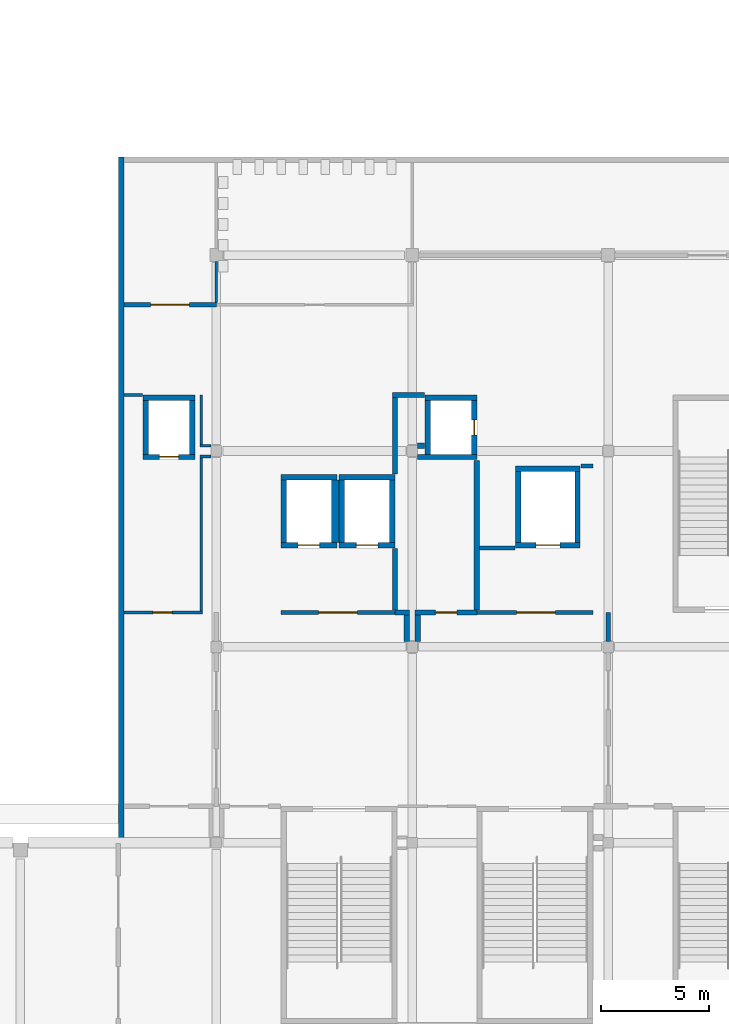
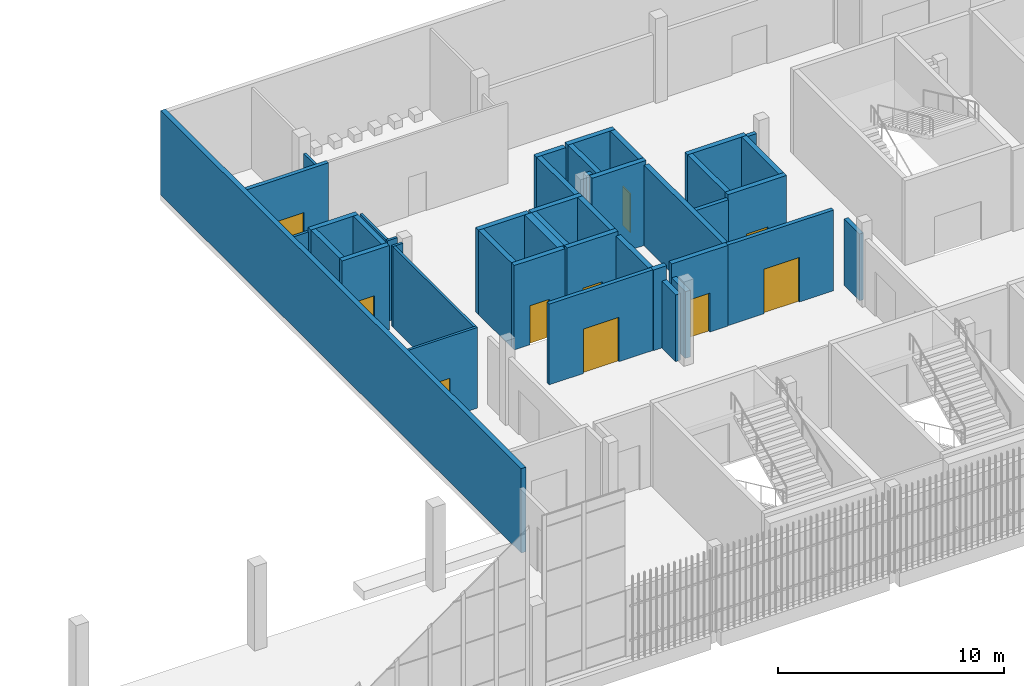
# One storey, part 45 of 91: 43 walls, 10 doors, 10 openings.
"""IFC4 building model written with IfcOpenShell, lengths in metres."""

from ifc_helpers import new_model, si_unit, direction, frame, frame_2d, origin, place, context, subcontext, project, spatial, rectangle, extrude, material, layer, layer_set, type_object, element, fill, save


model = new_model("IFC4")

# Units and contexts
model_context = context("Model", 3, precision=1e-05, world=origin(), true_north=direction((0.0, 1.0)))
body_context = subcontext(model_context, "Body", "Model", "MODEL_VIEW")
ifc_project = project(units=[si_unit("LENGTHUNIT", "METRE"), si_unit("AREAUNIT", "SQUARE_METRE"), si_unit("VOLUMEUNIT", "CUBIC_METRE"), si_unit("PLANEANGLEUNIT", "RADIAN"), si_unit("MASSUNIT", "GRAM", prefix="KILO")], contexts=[model_context])

# Site, building, storey
site_placement = place(None, origin())
site = spatial("IfcSite", under=ifc_project, at=site_placement, CompositionType="ELEMENT")
building_placement = place(site_placement, origin())
building = spatial("IfcBuilding", under=site, at=building_placement, Name="Shirokan Park Arena", CompositionType="ELEMENT")
storey_placement = place(building_placement, frame((0.0, 0.0, 24.570068359375)))
storey = spatial("IfcBuildingStorey", under=building, at=storey_placement, Name="L05", CompositionType="ELEMENT", Elevation=24.570068359375)

# Walls
ifc_material_1 = material(Name="Plaster")
ifc_layer_1 = layer(ifc_material_1, 0.014892578125, Name="Plaster")
ifc_material_2 = material(Name="Concrete blockwork", Category="masonry")
ifc_layer_2 = layer(ifc_material_2, 0.219970703125, Name="Concrete blockwork 220")
ifc_layer_3 = layer(ifc_material_1, 0.014892578125, Name="Plaster")
ifc_layer_set_1 = layer_set([ifc_layer_1, ifc_layer_2, ifc_layer_3], Name="Plaster + Concrete blockwork 220")
wall_type_1 = type_object("IfcWallType", Name="Compartment wall 250", PredefinedType="SOLIDWALL", material=ifc_layer_set_1)
wall_1_placement = place(storey_placement, frame((117.375, 29.89990234375, 0.0), z_axis=(0.0, 0.0, 1.0), x_axis=(1.0, 0.0, 0.0)))
element("IfcWall", 1, at=wall_1_placement, inside=storey, type_object=wall_type_1, Name="Compartment wall 250 L05", PredefinedType="SOLIDWALL", context=body_context, shape_type="SweptSolid", body=[
    extrude(rectangle(XDim=1.4951171875, YDim=0.25, at=frame_2d((0.74755859375, 0.0))), origin(), (0.0, 0.0, 1.0), 4.349853515625),
])
wall_2_placement = place(storey_placement, frame((117.5, 19.800048828125, 0.0), z_axis=(0.0, 0.0, 1.0), x_axis=(1.0, 0.0, 0.0)))
element("IfcWall", 2, at=wall_2_placement, inside=storey, type_object=wall_type_1, Name="Compartment wall 250 L05", PredefinedType="SOLIDWALL", context=body_context, shape_type="SweptSolid", body=[
    extrude(rectangle(XDim=0.675048828125, YDim=0.25, at=frame_2d((0.33740234375, 0.0))), origin(), (0.0, 0.0, 1.0), 4.349853515625),
])
wall_3_placement = place(storey_placement, frame((117.5, 19.925048828125, 0.0), z_axis=(0.0, 0.0, 1.0), x_axis=(0.0, 1.0, 0.0)))
element("IfcWall", 3, at=wall_3_placement, inside=storey, type_object=wall_type_1, Name="Compartment wall 250 L05", PredefinedType="SOLIDWALL", context=body_context, shape_type="SweptSolid", body=[
    extrude(rectangle(XDim=2.844970703125, YDim=0.25, at=frame_2d((1.42236328125, 0.0))), origin(), (0.0, 0.0, 1.0), 4.349853515625),
])
wall_4_placement = place(storey_placement, frame((117.5, 26.22998046875, 0.0), z_axis=(0.0, 0.0, 1.0), x_axis=(0.0, 1.0, 0.0)))
element("IfcWall", 4, at=wall_4_placement, inside=storey, type_object=wall_type_1, Name="Compartment wall 250 L05", PredefinedType="SOLIDWALL", context=body_context, shape_type="SweptSolid", body=[
    extrude(rectangle(XDim=3.544921875, YDim=0.25, at=frame_2d((1.7724609375, 0.0))), origin(), (0.0, 0.0, 1.0), 4.349853515625),
])
wall_5_placement = place(storey_placement, frame((118.050048828125, 19.675048828125, 0.0), z_axis=(0.0, 0.0, 1.0), x_axis=(0.0, -1.0, 0.0)))
element("IfcWall", 5, at=wall_5_placement, inside=storey, type_object=wall_type_1, Name="Compartment wall 250 L05", PredefinedType="SOLIDWALL", context=body_context, shape_type="SweptSolid", body=[
    extrude(rectangle(XDim=1.22509765625, YDim=0.25, at=frame_2d((0.612548828125, 0.0))), origin(), (0.0, 0.0, 1.0), 3.599853515625),
])

# Wall, opening, door
wall_6_placement = place(storey_placement, frame((118.425048828125, 19.800048828125, 0.0), z_axis=(0.0, 0.0, 1.0), x_axis=(1.0, 0.0, 0.0)))
wall_6 = element("IfcWall", 6, at=wall_6_placement, inside=storey, type_object=wall_type_1, Name="Compartment wall 250 L05", PredefinedType="SOLIDWALL", context=body_context, shape_type="SweptSolid", body=[
    extrude(rectangle(XDim=2.875, YDim=0.25, at=frame_2d((1.4375, 0.0))), origin(), (0.0, 0.0, 1.0), 4.349853515625),
])
opening_1_placement = place(wall_6_placement, frame((0.949951171875, 0.0, 0.0)))
opening_1 = element("IfcOpeningElement", 7, at=opening_1_placement, cuts=wall_6, Name="Opening D-5015", PredefinedType="OPENING", context=body_context, shape_type="SweptSolid", body=[
    extrude(rectangle(XDim=1.0, YDim=2.10009765625, at=frame_2d((0.5, 1.050048828125))), frame((0.0, 0.135009765625, 0.0), z_axis=(0.0, -1.0, 0.0), x_axis=(1.0, 0.0, 0.0)), (0.0, 0.0, 1.0), 0.27001953125),
])
ifc_material_3 = material(Name="Timber door set, fire resisting", Category="wood")
door_type_1 = type_object("IfcDoorType", Name="Door 1000 x 2100", OperationType="SINGLE_SWING_LEFT", PredefinedType="DOOR", material=ifc_material_3)
door_1_placement = place(opening_1_placement, origin())
door_1 = element("IfcDoor", 8, at=door_1_placement, inside=storey, type_object=door_type_1, Name="Door to Kiosk Store 5.28 D-5015", OperationType="SINGLE_SWING_LEFT", OverallHeight=2.10009765625, OverallWidth=1.0, PredefinedType="DOOR", context=body_context, shape_type="SweptSolid", body=[
    extrude(rectangle(XDim=1.0, YDim=2.10009765625, at=frame_2d((0.5, 1.050048828125))), frame((0.0, 0.02490234375, 0.0), z_axis=(0.0, -1.0, 0.0), x_axis=(1.0, 0.0, 0.0)), (0.0, 0.0, 1.0), 0.050048828125),
])
fill(opening_1, door_1)

# Walls
wall_7_placement = place(storey_placement, frame((118.550048828125, 18.449951171875, 0.0), z_axis=(0.0, 0.0, 1.0), x_axis=(0.0, 1.0, 0.0)))
element("IfcWall", 9, at=wall_7_placement, inside=storey, type_object=wall_type_1, Name="Compartment wall 250 L05", PredefinedType="SOLIDWALL", context=body_context, shape_type="SweptSolid", body=[
    extrude(rectangle(XDim=1.22509765625, YDim=0.25, at=frame_2d((0.612548828125, 0.0))), origin(), (0.0, 0.0, 1.0), 3.599853515625),
])
wall_8_placement = place(storey_placement, frame((118.8701171875, 27.550048828125, 0.0), z_axis=(0.0, 0.0, 1.0), x_axis=(-1.0, 0.0, 0.0)))
element("IfcWall", 10, at=wall_8_placement, inside=storey, type_object=wall_type_1, Name="Compartment wall 250 L05", PredefinedType="SOLIDWALL", context=body_context, shape_type="SweptSolid", body=[
    extrude(rectangle(XDim=0.320068359375, YDim=0.25, at=frame_2d((0.16015625, 0.0))), origin(), (0.0, 0.0, 1.0), 4.349853515625),
])
wall_9_placement = place(storey_placement, frame((121.300048828125, 19.925048828125, 0.0), z_axis=(0.0, 0.0, 1.0), x_axis=(0.0, 1.0, 0.0)))
element("IfcWall", 11, at=wall_9_placement, inside=storey, type_object=wall_type_1, Name="Compartment wall 250 L05", PredefinedType="SOLIDWALL", context=body_context, shape_type="SweptSolid", body=[
    extrude(rectangle(XDim=6.945068359375, YDim=0.25, at=frame_2d((3.47265625, 0.0))), origin(), (0.0, 0.0, 1.0), 4.349853515625),
])

# Wall, opening, door
ifc_material_4 = material(Name="Gypsum board")
ifc_layer_4 = layer(ifc_material_4, 0.02490234375, Name="Gypsum board, two layers")
ifc_material_5 = material(Name="Mineral wool insulation")
ifc_layer_5 = layer(ifc_material_5, 0.14990234375, Name="Mineral wool insulation")
ifc_layer_6 = layer(ifc_material_4, 0.02490234375, Name="Gypsum board, two layers")
ifc_layer_set_2 = layer_set([ifc_layer_4, ifc_layer_5, ifc_layer_6], Name="Gypsum board, two layers + Mineral wool insulation")
wall_type_2 = type_object("IfcWallType", Name="Corridor wall 200", PredefinedType="PARTITIONING", material=ifc_layer_set_2)
wall_10_placement = place(storey_placement, frame((109.199951171875, 34.10009765625, 0.0), z_axis=(0.0, 0.0, 1.0), x_axis=(-1.0, 0.0, 0.0)))
wall_10 = element("IfcWall", 12, at=wall_10_placement, inside=storey, type_object=wall_type_2, Name="Corridor wall 200 L05", PredefinedType="PARTITIONING", context=body_context, shape_type="SweptSolid", body=[
    extrude(rectangle(XDim=4.300048828125, YDim=0.199951171875, at=frame_2d((2.14990234375, 0.0))), origin(), (0.0, 0.0, 1.0), 4.349853515625),
])
opening_2_placement = place(wall_10_placement, frame((1.25, 0.0, 0.0)))
opening_2 = element("IfcOpeningElement", 13, at=opening_2_placement, cuts=wall_10, Name="Opening D-5022", PredefinedType="OPENING", context=body_context, shape_type="SweptSolid", body=[
    extrude(rectangle(XDim=1.800048828125, YDim=2.10009765625, at=frame_2d((0.89990234375, 1.050048828125))), frame((0.0, 0.10986328125, 0.0), z_axis=(0.0, -1.0, 0.0), x_axis=(1.0, 0.0, 0.0)), (0.0, 0.0, 1.0), 0.219970703125),
])
door_type_2 = type_object("IfcDoorType", Name="Double door 1800 x 2100", OperationType="DOUBLE_DOOR_SINGLE_SWING", PredefinedType="DOOR", material=ifc_material_3)
door_2_placement = place(opening_2_placement, origin())
door_2 = element("IfcDoor", 14, at=door_2_placement, inside=storey, type_object=door_type_2, Name="Door to Merchandise Store 5.23 D-5022", OperationType="DOUBLE_DOOR_SINGLE_SWING", OverallHeight=2.10009765625, OverallWidth=1.800048828125, PredefinedType="DOOR", context=body_context, shape_type="SweptSolid", body=[
    extrude(rectangle(XDim=1.800048828125, YDim=2.10009765625, at=frame_2d((0.89990234375, 1.050048828125))), frame((0.0, 0.02490234375, 0.0), z_axis=(0.0, -1.0, 0.0), x_axis=(1.0, 0.0, 0.0)), (0.0, 0.0, 1.0), 0.050048828125),
])
fill(opening_2, door_2)

wall_11_placement = place(storey_placement, frame((112.199951171875, 19.800048828125, 0.0), z_axis=(0.0, 0.0, 1.0), x_axis=(1.0, 0.0, 0.0)))
wall_11 = element("IfcWall", 15, at=wall_11_placement, inside=storey, type_object=wall_type_2, Name="Corridor wall 200 L05", PredefinedType="PARTITIONING", context=body_context, shape_type="SweptSolid", body=[
    extrude(rectangle(XDim=5.300048828125, YDim=0.199951171875, at=frame_2d((2.64990234375, 0.0))), origin(), (0.0, 0.0, 1.0), 4.349853515625),
])
opening_3_placement = place(wall_11_placement, frame((1.75, 0.0, 0.0)))
opening_3 = element("IfcOpeningElement", 16, at=opening_3_placement, cuts=wall_11, Name="Opening D-5085", PredefinedType="OPENING", context=body_context, shape_type="SweptSolid", body=[
    extrude(rectangle(XDim=1.800048828125, YDim=2.39990234375, at=frame_2d((0.89990234375, 1.199951171875))), frame((0.0, 0.10986328125, 0.0), z_axis=(0.0, -1.0, 0.0), x_axis=(1.0, 0.0, 0.0)), (0.0, 0.0, 1.0), 0.219970703125),
])
ifc_material_6 = material(Name="Glazed steel door set, fire resisting", Category="steel")
door_type_3 = type_object("IfcDoorType", Name="Lift lobby door 1800 x 2400", OperationType="DOUBLE_DOOR_SINGLE_SWING", PredefinedType="DOOR", material=ifc_material_6)
door_3_placement = place(opening_3_placement, origin())
door_3 = element("IfcDoor", 17, at=door_3_placement, inside=storey, type_object=door_type_3, Name="Door between Retail Arcade 2.5.3 and Lift Lobby 2.5 D-5085", OperationType="DOUBLE_DOOR_SINGLE_SWING", OverallHeight=2.39990234375, OverallWidth=1.800048828125, PredefinedType="DOOR", context=body_context, shape_type="SweptSolid", body=[
    extrude(rectangle(XDim=1.800048828125, YDim=2.39990234375, at=frame_2d((0.89990234375, 1.199951171875))), frame((0.0, 0.02490234375, 0.0), z_axis=(0.0, -1.0, 0.0), x_axis=(1.0, 0.0, 0.0)), (0.0, 0.0, 1.0), 0.050048828125),
])
fill(opening_3, door_3)

wall_12_placement = place(storey_placement, frame((121.300048828125, 19.800048828125, 0.0), z_axis=(0.0, 0.0, 1.0), x_axis=(1.0, 0.0, 0.0)))
wall_12 = element("IfcWall", 18, at=wall_12_placement, inside=storey, type_object=wall_type_2, Name="Corridor wall 200 L05", PredefinedType="PARTITIONING", context=body_context, shape_type="SweptSolid", body=[
    extrude(rectangle(XDim=5.39990234375, YDim=0.199951171875, at=frame_2d((2.699951171875, 0.0))), origin(), (0.0, 0.0, 1.0), 4.349853515625),
])
opening_4_placement = place(wall_12_placement, frame((1.85009765625, 0.0, 0.0)))
opening_4 = element("IfcOpeningElement", 19, at=opening_4_placement, cuts=wall_12, Name="Opening D-5086", PredefinedType="OPENING", context=body_context, shape_type="SweptSolid", body=[
    extrude(rectangle(XDim=1.800048828125, YDim=2.39990234375, at=frame_2d((0.89990234375, 1.199951171875))), frame((0.0, 0.10986328125, 0.0), z_axis=(0.0, -1.0, 0.0), x_axis=(1.0, 0.0, 0.0)), (0.0, 0.0, 1.0), 0.219970703125),
])
door_4_placement = place(opening_4_placement, origin())
door_4 = element("IfcDoor", 20, at=door_4_placement, inside=storey, type_object=door_type_3, Name="Door between Retail Arcade 2.5.3 and Service Lift Lobby 2.5 D-5086", OperationType="DOUBLE_DOOR_SINGLE_SWING", OverallHeight=2.39990234375, OverallWidth=1.800048828125, PredefinedType="DOOR", context=body_context, shape_type="SweptSolid", body=[
    extrude(rectangle(XDim=1.800048828125, YDim=2.39990234375, at=frame_2d((0.89990234375, 1.199951171875))), frame((0.0, 0.02490234375, 0.0), z_axis=(0.0, -1.0, 0.0), x_axis=(1.0, 0.0, 0.0)), (0.0, 0.0, 1.0), 0.050048828125),
])
fill(opening_4, door_4)

# Walls
wall_13_placement = place(storey_placement, frame((121.425048828125, 22.800048828125, 0.0), z_axis=(0.0, 0.0, 1.0), x_axis=(1.0, 0.0, 0.0)))
element("IfcWall", 21, at=wall_13_placement, inside=storey, type_object=wall_type_2, Name="Corridor wall 200 L05", PredefinedType="PARTITIONING", context=body_context, shape_type="SweptSolid", body=[
    extrude(rectangle(XDim=1.64501953125, YDim=0.199951171875, at=frame_2d((0.822509765625, 0.0))), origin(), (0.0, 0.0, 1.0), 4.349853515625),
])
wall_14_placement = place(storey_placement, frame((126.1298828125, 26.60009765625, 0.0), z_axis=(0.0, 0.0, 1.0), x_axis=(1.0, 0.0, 0.0)))
element("IfcWall", 22, at=wall_14_placement, inside=storey, type_object=wall_type_2, Name="Corridor wall 200 L05", PredefinedType="PARTITIONING", context=body_context, shape_type="SweptSolid", body=[
    extrude(rectangle(XDim=0.570068359375, YDim=0.199951171875, at=frame_2d((0.28515625, 0.0))), origin(), (0.0, 0.0, 1.0), 4.349853515625),
])
wall_15_placement = place(storey_placement, frame((127.39990234375, 18.449951171875, 0.0), z_axis=(0.0, 0.0, 1.0), x_axis=(0.0, 1.0, 0.0)))
element("IfcWall", 23, at=wall_15_placement, inside=storey, type_object=wall_type_2, Name="Corridor wall 200 L05", PredefinedType="PARTITIONING", context=body_context, shape_type="SweptSolid", body=[
    extrude(rectangle(XDim=1.35009765625, YDim=0.199951171875, at=frame_2d((0.675048828125, 0.0))), origin(), (0.0, 0.0, 1.0), 3.599853515625),
])
ifc_material_7 = material(Name="Concrete C35", Category="concrete")
ifc_layer_7 = layer(ifc_material_7, 0.25)
ifc_layer_set_3 = layer_set([ifc_layer_7], Name="Concrete C35 250 mm")
wall_type_3 = type_object("IfcWallType", Name="RC flank wall 250", PredefinedType="SHEAR", material=ifc_layer_set_3)
wall_16_placement = place(storey_placement, frame((104.77490234375, 40.949951171875, 0.0), z_axis=(0.0, 0.0, 1.0), x_axis=(0.0, -1.0, 0.0)))
element("IfcWall", 24, at=wall_16_placement, inside=storey, type_object=wall_type_3, Name="Flank wall S2 L05", PredefinedType="SHEAR", context=body_context, shape_type="SweptSolid", body=[
    extrude(rectangle(XDim=31.849853515625, YDim=0.25, at=frame_2d((15.9248046875, 0.0))), origin(), (0.0, 0.0, 1.0), 4.550048828125),
])

# Wall, opening, door
ifc_material_8 = material(Name="Concrete C40/50", Category="concrete")
ifc_layer_8 = layer(ifc_material_8, 0.25)
ifc_layer_set_4 = layer_set([ifc_layer_8], Name="Concrete C40/50 250 mm")
wall_type_4 = type_object("IfcWallType", Name="RC shear wall 250", PredefinedType="SHEAR", material=ifc_layer_set_4)
wall_17_placement = place(storey_placement, frame((117.5, 22.925048828125, 0.0), z_axis=(0.0, 0.0, 1.0), x_axis=(-1.0, 0.0, 0.0)))
wall_17 = element("IfcWall", 25, at=wall_17_placement, inside=storey, type_object=wall_type_4, Name="Shaft wall Passenger Lift 2.1 S L05", PredefinedType="SHEAR", context=body_context, shape_type="SweptSolid", body=[
    extrude(rectangle(XDim=2.60009765625, YDim=0.25, at=frame_2d((1.300048828125, 0.0))), origin(), (0.0, 0.0, 1.0), 4.550048828125),
])
opening_5_placement = place(wall_17_placement, frame((0.800048828125, 0.0, 0.0)))
opening_5 = element("IfcOpeningElement", 26, at=opening_5_placement, cuts=wall_17, Name="Opening LD18", PredefinedType="OPENING", context=body_context, shape_type="SweptSolid", body=[
    extrude(rectangle(XDim=1.0, YDim=2.10009765625, at=frame_2d((0.5, 1.050048828125))), frame((0.0, 0.135009765625, 0.0), z_axis=(0.0, -1.0, 0.0), x_axis=(1.0, 0.0, 0.0)), (0.0, 0.0, 1.0), 0.27001953125),
])
ifc_material_9 = material(Name="Stainless steel", Category="steel")
door_type_4 = type_object("IfcDoorType", Name="Lift landing door 1000x2100", OperationType="DOUBLE_DOOR_SLIDING", PredefinedType="DOOR", material=ifc_material_9)
door_5_placement = place(opening_5_placement, origin())
door_5 = element("IfcDoor", 27, at=door_5_placement, inside=storey, type_object=door_type_4, Name="Lift landing door Passenger Lift 2.1 L05", OperationType="DOUBLE_DOOR_SLIDING", OverallHeight=2.10009765625, OverallWidth=1.0, PredefinedType="DOOR", context=body_context, shape_type="SweptSolid", body=[
    extrude(rectangle(XDim=1.0, YDim=2.10009765625, at=frame_2d((0.5, 1.050048828125))), frame((0.0, 0.02490234375, 0.0), z_axis=(0.0, -1.0, 0.0), x_axis=(1.0, 0.0, 0.0)), (0.0, 0.0, 1.0), 0.050048828125),
])
fill(opening_5, door_5)

# Walls
wall_18_placement = place(storey_placement, frame((117.5, 26.074951171875, 0.0), z_axis=(0.0, 0.0, 1.0), x_axis=(-1.0, 0.0, 0.0)))
element("IfcWall", 28, at=wall_18_placement, inside=storey, type_object=wall_type_4, Name="Shaft wall Passenger Lift 2.1 N L05", PredefinedType="SHEAR", context=body_context, shape_type="SweptSolid", body=[
    extrude(rectangle(XDim=2.60009765625, YDim=0.25, at=frame_2d((1.300048828125, 0.0))), origin(), (0.0, 0.0, 1.0), 4.550048828125),
])
for number, where, z_axis, x_axis, name in (
    (29, (115.02490234375, 25.949951171875, 0.0), (0.0, 0.0, 1.0), (0.0, -1.0, 0.0), "Shaft wall Passenger Lift 2.1 W L05"),
    (30, (117.375, 25.949951171875, 0.0), (0.0, 0.0, 1.0), (0.0, -1.0, 0.0), "Shaft wall Passenger Lift 2.1 E L05"),
):
    element("IfcWall", number, at=place(storey_placement, frame(where, z_axis=z_axis, x_axis=x_axis)), inside=storey, type_object=wall_type_4, Name=name, PredefinedType="SHEAR", context=body_context, shape_type="SweptSolid", body=[
        extrude(rectangle(XDim=2.89990234375, YDim=0.25, at=frame_2d((1.449951171875, 0.0))), origin(), (0.0, 0.0, 1.0), 4.550048828125),
    ])

# Wall, opening, door
wall_19_placement = place(storey_placement, frame((114.800048828125, 22.925048828125, 0.0), z_axis=(0.0, 0.0, 1.0), x_axis=(-1.0, 0.0, 0.0)))
wall_19 = element("IfcWall", 31, at=wall_19_placement, inside=storey, type_object=wall_type_4, Name="Shaft wall Passenger Lift 2.2 S L05", PredefinedType="SHEAR", context=body_context, shape_type="SweptSolid", body=[
    extrude(rectangle(XDim=2.60009765625, YDim=0.25, at=frame_2d((1.300048828125, 0.0))), origin(), (0.0, 0.0, 1.0), 4.550048828125),
])
opening_6_placement = place(wall_19_placement, frame((0.800048828125, 0.0, 0.0)))
opening_6 = element("IfcOpeningElement", 32, at=opening_6_placement, cuts=wall_19, Name="Opening LD24", PredefinedType="OPENING", context=body_context, shape_type="SweptSolid", body=[
    extrude(rectangle(XDim=1.0, YDim=2.10009765625, at=frame_2d((0.5, 1.050048828125))), frame((0.0, 0.135009765625, 0.0), z_axis=(0.0, -1.0, 0.0), x_axis=(1.0, 0.0, 0.0)), (0.0, 0.0, 1.0), 0.27001953125),
])
door_6_placement = place(opening_6_placement, origin())
door_6 = element("IfcDoor", 33, at=door_6_placement, inside=storey, type_object=door_type_4, Name="Lift landing door Passenger Lift 2.2 L05", OperationType="DOUBLE_DOOR_SLIDING", OverallHeight=2.10009765625, OverallWidth=1.0, PredefinedType="DOOR", context=body_context, shape_type="SweptSolid", body=[
    extrude(rectangle(XDim=1.0, YDim=2.10009765625, at=frame_2d((0.5, 1.050048828125))), frame((0.0, 0.02490234375, 0.0), z_axis=(0.0, -1.0, 0.0), x_axis=(1.0, 0.0, 0.0)), (0.0, 0.0, 1.0), 0.050048828125),
])
fill(opening_6, door_6)

# Walls
wall_20_placement = place(storey_placement, frame((114.800048828125, 26.074951171875, 0.0), z_axis=(0.0, 0.0, 1.0), x_axis=(-1.0, 0.0, 0.0)))
element("IfcWall", 34, at=wall_20_placement, inside=storey, type_object=wall_type_4, Name="Shaft wall Passenger Lift 2.2 N L05", PredefinedType="SHEAR", context=body_context, shape_type="SweptSolid", body=[
    extrude(rectangle(XDim=2.60009765625, YDim=0.25, at=frame_2d((1.300048828125, 0.0))), origin(), (0.0, 0.0, 1.0), 4.550048828125),
])
wall_21_placement = place(storey_placement, frame((112.324951171875, 25.949951171875, 0.0), z_axis=(0.0, 0.0, 1.0), x_axis=(0.0, -1.0, 0.0)))
element("IfcWall", 35, at=wall_21_placement, inside=storey, type_object=wall_type_4, Name="Shaft wall Passenger Lift 2.2 W L05", PredefinedType="SHEAR", context=body_context, shape_type="SweptSolid", body=[
    extrude(rectangle(XDim=2.89990234375, YDim=0.25, at=frame_2d((1.449951171875, 0.0))), origin(), (0.0, 0.0, 1.0), 4.550048828125),
])

# Wall, opening, door
wall_22_placement = place(storey_placement, frame((108.199951171875, 27.02490234375, 0.0), z_axis=(0.0, 0.0, 1.0), x_axis=(-1.0, 0.0, 0.0)))
wall_22 = element("IfcWall", 36, at=wall_22_placement, inside=storey, type_object=wall_type_4, Name="Shaft wall Services Riser 2.1 S L05", PredefinedType="SHEAR", context=body_context, shape_type="SweptSolid", body=[
    extrude(rectangle(XDim=2.39990234375, YDim=0.25, at=frame_2d((1.199951171875, 0.0))), origin(), (0.0, 0.0, 1.0), 4.550048828125),
])
opening_7_placement = place(wall_22_placement, frame((0.75, 0.0, 0.0)))
opening_7 = element("IfcOpeningElement", 37, at=opening_7_placement, cuts=wall_22, Name="Opening D-5126", PredefinedType="OPENING", context=body_context, shape_type="SweptSolid", body=[
    extrude(rectangle(XDim=0.89990234375, YDim=2.10009765625, at=frame_2d((0.449951171875, 1.050048828125))), frame((0.0, 0.135009765625, 0.0), z_axis=(0.0, -1.0, 0.0), x_axis=(1.0, 0.0, 0.0)), (0.0, 0.0, 1.0), 0.27001953125),
])
ifc_material_10 = material(Name="Steel door set, fire resisting", Category="steel")
door_type_5 = type_object("IfcDoorType", Name="Electrical riser door 900 x 2100", OperationType="SINGLE_SWING_LEFT", PredefinedType="DOOR", material=ifc_material_10)
door_7_placement = place(opening_7_placement, origin())
door_7 = element("IfcDoor", 38, at=door_7_placement, inside=storey, type_object=door_type_5, Name="Riser access door Services Riser 2.1 D-5126", OperationType="SINGLE_SWING_LEFT", OverallHeight=2.10009765625, OverallWidth=0.89990234375, PredefinedType="DOOR", context=body_context, shape_type="SweptSolid", body=[
    extrude(rectangle(XDim=0.89990234375, YDim=2.10009765625, at=frame_2d((0.449951171875, 1.050048828125))), frame((0.0, 0.02490234375, 0.0), z_axis=(0.0, -1.0, 0.0), x_axis=(1.0, 0.0, 0.0)), (0.0, 0.0, 1.0), 0.050048828125),
])
fill(opening_7, door_7)

# Walls
wall_23_placement = place(storey_placement, frame((108.199951171875, 29.77490234375, 0.0), z_axis=(0.0, 0.0, 1.0), x_axis=(-1.0, 0.0, 0.0)))
element("IfcWall", 39, at=wall_23_placement, inside=storey, type_object=wall_type_4, Name="Shaft wall Services Riser 2.1 N L05", PredefinedType="SHEAR", context=body_context, shape_type="SweptSolid", body=[
    extrude(rectangle(XDim=2.39990234375, YDim=0.25, at=frame_2d((1.199951171875, 0.0))), origin(), (0.0, 0.0, 1.0), 4.550048828125),
])
for number, where, z_axis, x_axis, name in (
    (40, (105.925048828125, 29.64990234375, 0.0), (0.0, 0.0, 1.0), (0.0, -1.0, 0.0), "Shaft wall Services Riser 2.1 W L05"),
    (41, (108.074951171875, 29.64990234375, 0.0), (0.0, 0.0, 1.0), (0.0, -1.0, 0.0), "Shaft wall Services Riser 2.1 E L05"),
):
    element("IfcWall", number, at=place(storey_placement, frame(where, z_axis=z_axis, x_axis=x_axis)), inside=storey, type_object=wall_type_4, Name=name, PredefinedType="SHEAR", context=body_context, shape_type="SweptSolid", body=[
        extrude(rectangle(XDim=2.5, YDim=0.25, at=frame_2d((1.25, 0.0))), origin(), (0.0, 0.0, 1.0), 4.550048828125),
    ])
wall_24_placement = place(storey_placement, frame((121.300048828125, 27.02490234375, 0.0), z_axis=(0.0, 0.0, 1.0), x_axis=(-1.0, 0.0, 0.0)))
element("IfcWall", 42, at=wall_24_placement, inside=storey, type_object=wall_type_4, Name="Shaft wall Services Riser 2.2 S L05", PredefinedType="SHEAR", context=body_context, shape_type="SweptSolid", body=[
    extrude(rectangle(XDim=2.75, YDim=0.25, at=frame_2d((1.375, 0.0))), origin(), (0.0, 0.0, 1.0), 4.550048828125),
])
wall_25_placement = place(storey_placement, frame((121.300048828125, 29.77490234375, 0.0), z_axis=(0.0, 0.0, 1.0), x_axis=(-1.0, 0.0, 0.0)))
element("IfcWall", 43, at=wall_25_placement, inside=storey, type_object=wall_type_4, Name="Shaft wall Services Riser 2.2 N L05", PredefinedType="SHEAR", context=body_context, shape_type="SweptSolid", body=[
    extrude(rectangle(XDim=2.400146484375, YDim=0.25, at=frame_2d((1.2001953125, 0.0))), origin(), (0.0, 0.0, 1.0), 4.550048828125),
])
wall_26_placement = place(storey_placement, frame((119.02490234375, 29.64990234375, 0.0), z_axis=(0.0, 0.0, 1.0), x_axis=(0.0, -1.0, 0.0)))
element("IfcWall", 44, at=wall_26_placement, inside=storey, type_object=wall_type_4, Name="Shaft wall Services Riser 2.2 W L05", PredefinedType="SHEAR", context=body_context, shape_type="SweptSolid", body=[
    extrude(rectangle(XDim=2.5, YDim=0.25, at=frame_2d((1.25, 0.0))), origin(), (0.0, 0.0, 1.0), 4.550048828125),
])

# Wall, opening, door
wall_27_placement = place(storey_placement, frame((121.175048828125, 29.64990234375, 0.0), z_axis=(0.0, 0.0, 1.0), x_axis=(0.0, -1.0, 0.0)))
wall_27 = element("IfcWall", 45, at=wall_27_placement, inside=storey, type_object=wall_type_4, Name="Shaft wall Services Riser 2.2 E L05", PredefinedType="SHEAR", context=body_context, shape_type="SweptSolid", body=[
    extrude(rectangle(XDim=2.5, YDim=0.25, at=frame_2d((1.25, 0.0))), origin(), (0.0, 0.0, 1.0), 4.550048828125),
])
opening_8_placement = place(wall_27_placement, frame((0.89990234375, 0.0, 0.0)))
opening_8 = element("IfcOpeningElement", 46, at=opening_8_placement, cuts=wall_27, Name="Opening D-5127", PredefinedType="OPENING", context=body_context, shape_type="SweptSolid", body=[
    extrude(rectangle(XDim=0.699951171875, YDim=2.10009765625, at=frame_2d((0.35009765625, 1.050048828125))), frame((0.0, 0.135009765625, 0.0), z_axis=(0.0, -1.0, 0.0), x_axis=(1.0, 0.0, 0.0)), (0.0, 0.0, 1.0), 0.27001953125),
])
door_type_6 = type_object("IfcDoorType", Name="Mechanical riser door 700 x 2100", OperationType="SINGLE_SWING_LEFT", PredefinedType="DOOR", material=ifc_material_10)
door_8_placement = place(opening_8_placement, origin())
door_8 = element("IfcDoor", 47, at=door_8_placement, inside=storey, type_object=door_type_6, Name="Riser access door Services Riser 2.2 D-5127", OperationType="SINGLE_SWING_RIGHT", OverallHeight=2.10009765625, OverallWidth=0.699951171875, PredefinedType="DOOR", context=body_context, shape_type="SweptSolid", body=[
    extrude(rectangle(XDim=0.699951171875, YDim=2.10009765625, at=frame_2d((0.35009765625, 1.050048828125))), frame((0.0, 0.02490234375, 0.0), z_axis=(0.0, -1.0, 0.0), x_axis=(1.0, 0.0, 0.0)), (0.0, 0.0, 1.0), 0.050048828125),
])
fill(opening_8, door_8)

wall_28_placement = place(storey_placement, frame((126.10009765625, 22.925048828125, 0.0), z_axis=(0.0, 0.0, 1.0), x_axis=(-1.0, 0.0, 0.0)))
wall_28 = element("IfcWall", 48, at=wall_28_placement, inside=storey, type_object=wall_type_4, Name="Shaft wall Service Lift 2 S L05", PredefinedType="SHEAR", context=body_context, shape_type="SweptSolid", body=[
    extrude(rectangle(XDim=3.0, YDim=0.25, at=frame_2d((1.5, 0.0))), origin(), (0.0, 0.0, 1.0), 4.550048828125),
])
opening_9_placement = place(wall_28_placement, frame((0.949951171875, 0.0, 0.0)))
opening_9 = element("IfcOpeningElement", 49, at=opening_9_placement, cuts=wall_28, Name="Opening LD61", PredefinedType="OPENING", context=body_context, shape_type="SweptSolid", body=[
    extrude(rectangle(XDim=1.10009765625, YDim=2.10009765625, at=frame_2d((0.550048828125, 1.050048828125))), frame((0.0, 0.135009765625, 0.0), z_axis=(0.0, -1.0, 0.0), x_axis=(1.0, 0.0, 0.0)), (0.0, 0.0, 1.0), 0.27001953125),
])
door_type_7 = type_object("IfcDoorType", Name="Lift landing door 1100x2100", OperationType="DOUBLE_DOOR_SLIDING", PredefinedType="DOOR", material=ifc_material_9)
door_9_placement = place(opening_9_placement, origin())
door_9 = element("IfcDoor", 50, at=door_9_placement, inside=storey, type_object=door_type_7, Name="Lift landing door Service Lift 2 L05", OperationType="DOUBLE_DOOR_SLIDING", OverallHeight=2.10009765625, OverallWidth=1.10009765625, PredefinedType="DOOR", context=body_context, shape_type="SweptSolid", body=[
    extrude(rectangle(XDim=1.10009765625, YDim=2.10009765625, at=frame_2d((0.550048828125, 1.050048828125))), frame((0.0, 0.02490234375, 0.0), z_axis=(0.0, -1.0, 0.0), x_axis=(1.0, 0.0, 0.0)), (0.0, 0.0, 1.0), 0.050048828125),
])
fill(opening_9, door_9)

# Walls
wall_29_placement = place(storey_placement, frame((126.10009765625, 26.47509765625, 0.0), z_axis=(0.0, 0.0, 1.0), x_axis=(-1.0, 0.0, 0.0)))
element("IfcWall", 51, at=wall_29_placement, inside=storey, type_object=wall_type_4, Name="Shaft wall Service Lift 2 N L05", PredefinedType="SHEAR", context=body_context, shape_type="SweptSolid", body=[
    extrude(rectangle(XDim=3.0, YDim=0.25, at=frame_2d((1.5, 0.0))), origin(), (0.0, 0.0, 1.0), 4.550048828125),
])
for number, where, z_axis, x_axis, name in (
    (52, (123.22509765625, 26.35009765625, 0.0), (0.0, 0.0, 1.0), (0.0, -1.0, 0.0), "Shaft wall Service Lift 2 W L05"),
    (53, (125.97509765625, 26.35009765625, 0.0), (0.0, 0.0, 1.0), (0.0, -1.0, 0.0), "Shaft wall Service Lift 2 E L05"),
):
    element("IfcWall", number, at=place(storey_placement, frame(where, z_axis=z_axis, x_axis=x_axis)), inside=storey, type_object=wall_type_4, Name=name, PredefinedType="SHEAR", context=body_context, shape_type="SweptSolid", body=[
        extrude(rectangle(XDim=3.300048828125, YDim=0.25, at=frame_2d((1.64990234375, 0.0))), origin(), (0.0, 0.0, 1.0), 4.550048828125),
    ])
ifc_layer_9 = layer(ifc_material_8, 0.35009765625)
ifc_layer_set_5 = layer_set([ifc_layer_9], Name="Concrete C40/50 350 mm")
wall_type_5 = type_object("IfcWallType", Name="RC shear wall 350", PredefinedType="SHEAR", material=ifc_layer_set_5)
wall_30_placement = place(storey_placement, frame((114.72509765625, 25.949951171875, 0.0), z_axis=(0.0, 0.0, 1.0), x_axis=(0.0, -1.0, 0.0)))
element("IfcWall", 54, at=wall_30_placement, inside=storey, type_object=wall_type_5, Name="Shaft wall Passenger Lift 2.2 E L05", PredefinedType="SHEAR", context=body_context, shape_type="SweptSolid", body=[
    extrude(rectangle(XDim=2.89990234375, YDim=0.35009765625, at=frame_2d((1.449951171875, 0.0))), origin(), (0.0, 0.0, 1.0), 4.550048828125),
])

# Wall, opening, door
ifc_material_11 = material(Name="Ceramic tile")
ifc_layer_10 = layer(ifc_material_11, 0.010009765625, Name="Ceramic tile")
ifc_material_12 = material(Name="Cement board")
ifc_layer_11 = layer(ifc_material_12, 0.012451171875, Name="Cement board")
ifc_layer_12 = layer(ifc_material_5, 0.080078125, Name="Mineral wool insulation")
ifc_layer_13 = layer(ifc_material_12, 0.012451171875, Name="Cement board")
ifc_layer_14 = layer(ifc_material_11, 0.010009765625, Name="Ceramic tile")
ifc_layer_set_6 = layer_set([ifc_layer_10, ifc_layer_11, ifc_layer_12, ifc_layer_13, ifc_layer_14], Name="Ceramic tile + Cement board + Mineral wool insulation")
wall_type_6 = type_object("IfcWallType", Name="Wet-area wall 125", PredefinedType="PARTITIONING", material=ifc_layer_set_6)
wall_31_placement = place(storey_placement, frame((104.89990234375, 19.800048828125, 0.0), z_axis=(0.0, 0.0, 1.0), x_axis=(1.0, 0.0, 0.0)))
wall_31 = element("IfcWall", 55, at=wall_31_placement, inside=storey, type_object=wall_type_6, Name="Wet-area wall 125 L05", PredefinedType="PARTITIONING", context=body_context, shape_type="SweptSolid", body=[
    extrude(rectangle(XDim=3.66259765625, YDim=0.125, at=frame_2d((1.831298828125, 0.0))), origin(), (0.0, 0.0, 1.0), 4.349853515625),
])
opening_10_placement = place(wall_31_placement, frame((1.35009765625, 0.0, 0.0)))
opening_10 = element("IfcOpeningElement", 56, at=opening_10_placement, cuts=wall_31, Name="Opening D-5016", PredefinedType="OPENING", context=body_context, shape_type="SweptSolid", body=[
    extrude(rectangle(XDim=0.89990234375, YDim=2.10009765625, at=frame_2d((0.449951171875, 1.050048828125))), frame((0.0, 0.072509765625, 0.0), z_axis=(0.0, -1.0, 0.0), x_axis=(1.0, 0.0, 0.0)), (0.0, 0.0, 1.0), 0.14501953125),
])
door_type_8 = type_object("IfcDoorType", Name="Door 900 x 2100", OperationType="SINGLE_SWING_LEFT", PredefinedType="DOOR", material=ifc_material_3)
door_10_placement = place(opening_10_placement, origin())
door_10 = element("IfcDoor", 57, at=door_10_placement, inside=storey, type_object=door_type_8, Name="Door to Staff WC 5.29 D-5016", OperationType="SINGLE_SWING_RIGHT", OverallHeight=2.10009765625, OverallWidth=0.89990234375, PredefinedType="DOOR", context=body_context, shape_type="SweptSolid", body=[
    extrude(rectangle(XDim=0.89990234375, YDim=2.10009765625, at=frame_2d((0.449951171875, 1.050048828125))), frame((0.0, 0.02490234375, 0.0), z_axis=(0.0, -1.0, 0.0), x_axis=(1.0, 0.0, 0.0)), (0.0, 0.0, 1.0), 0.050048828125),
])
fill(opening_10, door_10)

# Walls
wall_32_placement = place(storey_placement, frame((104.89990234375, 29.89990234375, 0.0), z_axis=(0.0, 0.0, 1.0), x_axis=(1.0, 0.0, 0.0)))
element("IfcWall", 58, at=wall_32_placement, inside=storey, type_object=wall_type_6, Name="Wet-area wall 125 L05", PredefinedType="PARTITIONING", context=body_context, shape_type="SweptSolid", body=[
    extrude(rectangle(XDim=0.8701171875, YDim=0.125, at=frame_2d((0.43505859375, 0.0))), origin(), (0.0, 0.0, 1.0), 4.349853515625),
])
wall_33_placement = place(storey_placement, frame((108.4375, 27.050048828125, 0.0), z_axis=(0.0, 0.0, 1.0), x_axis=(1.0, 0.0, 0.0)))
element("IfcWall", 59, at=wall_33_placement, inside=storey, type_object=wall_type_6, Name="Wet-area wall 125 L05", PredefinedType="PARTITIONING", context=body_context, shape_type="SweptSolid", body=[
    extrude(rectangle(XDim=0.512451171875, YDim=0.125, at=frame_2d((0.25634765625, 0.0))), origin(), (0.0, 0.0, 1.0), 4.349853515625),
])
wall_34_placement = place(storey_placement, frame((108.5, 19.862548828125, 0.0), z_axis=(0.0, 0.0, 1.0), x_axis=(0.0, 1.0, 0.0)))
element("IfcWall", 60, at=wall_34_placement, inside=storey, type_object=wall_type_6, Name="Wet-area wall 125 L05", PredefinedType="PARTITIONING", context=body_context, shape_type="SweptSolid", body=[
    extrude(rectangle(XDim=7.125, YDim=0.125, at=frame_2d((3.5625, 0.0))), origin(), (0.0, 0.0, 1.0), 4.349853515625),
])
wall_35_placement = place(storey_placement, frame((108.5, 27.612548828125, 0.0), z_axis=(0.0, 0.0, 1.0), x_axis=(0.0, 1.0, 0.0)))
element("IfcWall", 61, at=wall_35_placement, inside=storey, type_object=wall_type_6, Name="Wet-area wall 125 L05", PredefinedType="PARTITIONING", context=body_context, shape_type="SweptSolid", body=[
    extrude(rectangle(XDim=2.287353515625, YDim=0.125, at=frame_2d((1.1435546875, 0.0))), origin(), (0.0, 0.0, 1.0), 4.349853515625),
])
wall_36_placement = place(storey_placement, frame((108.949951171875, 27.550048828125, 0.0), z_axis=(0.0, 0.0, 1.0), x_axis=(-1.0, 0.0, 0.0)))
element("IfcWall", 62, at=wall_36_placement, inside=storey, type_object=wall_type_6, Name="Wet-area wall 125 L05", PredefinedType="PARTITIONING", context=body_context, shape_type="SweptSolid", body=[
    extrude(rectangle(XDim=0.512451171875, YDim=0.125, at=frame_2d((0.25634765625, 0.0))), origin(), (0.0, 0.0, 1.0), 4.349853515625),
])
wall_37_placement = place(storey_placement, frame((109.199951171875, 34.199951171875, 0.0), z_axis=(0.0, 0.0, 1.0), x_axis=(0.0, 1.0, 0.0)))
element("IfcWall", 63, at=wall_37_placement, inside=storey, type_object=wall_type_6, Name="Wet-area wall 125 L05", PredefinedType="PARTITIONING", context=body_context, shape_type="SweptSolid", body=[
    extrude(rectangle(XDim=1.900146484375, YDim=0.125, at=frame_2d((0.9501953125, 0.0))), origin(), (0.0, 0.0, 1.0), 3.599853515625),
])

save(model, "model.ifc")
